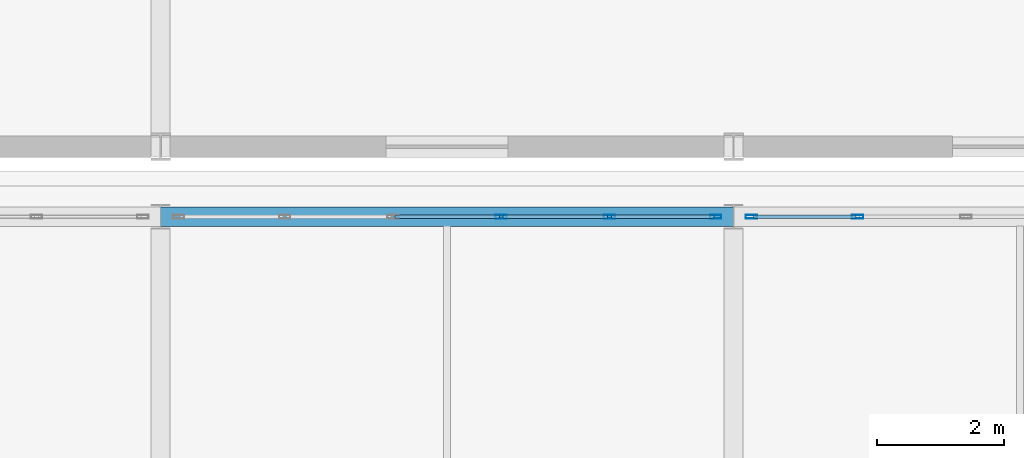
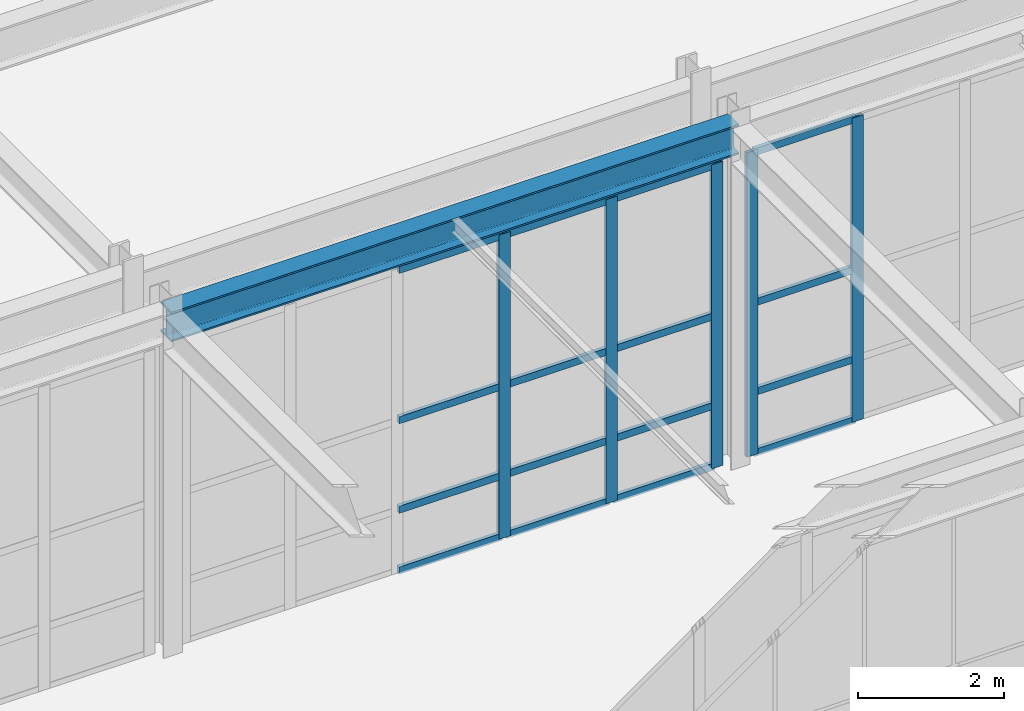
# One storey, part 53 of 146: 21 members, 1 beam, 2 elements without a shape of their own.
"""IFC4 building model written with IfcOpenShell, lengths in metres."""

import ifcopenshell
import ifcopenshell.guid

model = None  # the IFC model being written
_history = None  # IfcOwnerHistory: only IFC2X3 demands one
_inside = {}  # id of a spatial element -> (the spatial element, [elements in it])
_under = {}  # id of a project, library or spatial element -> (it, [spatial elements below it])
_declared = {}  # id of a project -> (the project, [libraries it declares])
_typed = {}  # id of a type object -> (the type object, [elements of that type])
_made_of = {}  # id of a material, layer set ... -> (it, [elements and type objects made of it])


def new_model(schema):
    """Start an empty IFC model of exactly this schema.

    Asked for "IFC4X3", IfcOpenShell would pick the latest addendum, in which some entities
    have other attributes; the version numbers below select the first issue.
    IFC2X3 requires an IfcOwnerHistory on every rooted entity: one is made here for all.
    """
    global model, _history
    if schema == "IFC4X3":
        model = ifcopenshell.file(schema_version=(4, 3, 0, 0))
    else:
        model = ifcopenshell.file(schema=schema)
    _inside.clear()
    _under.clear()
    _declared.clear()
    _typed.clear()
    _made_of.clear()
    _history = None
    if model.schema == "IFC2X3":
        org = make("IfcOrganization", Name="unknown")
        user = make(
            "IfcPersonAndOrganization",
            ThePerson=make("IfcPerson", FamilyName="unknown"),
            TheOrganization=org,
        )
        app = make(
            "IfcApplication",
            ApplicationDeveloper=org,
            Version="unknown",
            ApplicationFullName="unknown",
            ApplicationIdentifier="unknown",
        )
        _history = make(
            "IfcOwnerHistory",
            OwningUser=user,
            OwningApplication=app,
            ChangeAction="ADDED",
            CreationDate=0,
        )
    return model


def make(cls, **values):
    """One entity of the class cls with the attributes given. An attribute that is None is left unset."""
    return model.create_entity(
        cls, **{name: value for name, value in values.items() if value is not None}
    )


def rooted(cls, **values):
    """An entity with a GlobalId (a new one), such as an element, a storey or a relation."""
    return make(cls, GlobalId=ifcopenshell.guid.new(), OwnerHistory=_history, **values)


def si_unit(unit_type, name, prefix=None):
    """IfcSIUnit, for example si_unit("LENGTHUNIT", "METRE", prefix="MILLI")."""
    return make("IfcSIUnit", UnitType=unit_type, Prefix=prefix, Name=name)


def assignment(units):
    """IfcUnitAssignment: the units of a project."""
    return None if units is None else make("IfcUnitAssignment", Units=units)


def point(xyz):
    """IfcCartesianPoint."""
    return None if xyz is None else make("IfcCartesianPoint", Coordinates=xyz)


def direction(xyz):
    """IfcDirection."""
    return None if xyz is None else make("IfcDirection", DirectionRatios=xyz)


def frame(location, z_axis=None, x_axis=None):
    """IfcAxis2Placement3D, a coordinate frame: its origin and axes. An axis left out is left unset."""
    return make(
        "IfcAxis2Placement3D",
        Location=point(location),
        Axis=direction(z_axis),
        RefDirection=direction(x_axis),
    )


def frame_2d(location, x_axis=None):
    """IfcAxis2Placement2D, a coordinate frame in the plane: its origin and x axis."""
    return make(
        "IfcAxis2Placement2D", Location=point(location), RefDirection=direction(x_axis)
    )


def origin():
    """The frame at (0, 0, 0) with its axes left unset."""
    return frame((0.0, 0.0, 0.0))


def origin_2d():
    """The frame at (0, 0) in the plane with its x axis left unset."""
    return frame_2d((0.0, 0.0))


def place(relative_to, where):
    """IfcLocalPlacement: puts the frame where relative to a parent placement (None: the world)."""
    return make(
        "IfcLocalPlacement", PlacementRelTo=relative_to, RelativePlacement=where
    )


def context(
    kind, dimensions, precision=None, world=None, true_north=None, identifier=None
):
    """IfcGeometricRepresentationContext, for example the 3D "Model" context."""
    return make(
        "IfcGeometricRepresentationContext",
        ContextIdentifier=identifier,
        ContextType=kind,
        CoordinateSpaceDimension=dimensions,
        Precision=precision,
        WorldCoordinateSystem=world,
        TrueNorth=true_north,
    )


def subcontext(parent, identifier, kind, view, scale=None):
    """IfcGeometricRepresentationSubContext, for example "Body" below "Model"."""
    return make(
        "IfcGeometricRepresentationSubContext",
        ContextIdentifier=identifier,
        ContextType=kind,
        ParentContext=parent,
        TargetScale=scale,
        TargetView=view,
    )


def project(units=None, contexts=None):
    """IfcProject with its units and contexts."""
    return rooted(
        "IfcProject",
        Name="project",
        RepresentationContexts=contexts,
        UnitsInContext=assignment(units),
    )


def spatial(cls, under=None, at=None, **own):
    """A site, building, storey or space (cls), placed at a placement, below another one or the project."""
    s = rooted(cls, ObjectPlacement=at, **own)
    if under is not None:
        _under.setdefault(under.id(), (under, []))[1].append(s)
    return s


def profile(cls, at=None, kind="AREA", **sizes):
    """A parametric profile (cls). Its sizes go by their IFC names, for example OverallWidth=200.0."""
    return make(cls, ProfileType=kind, Position=at, **sizes)


def hollow_rectangle(**sizes):
    """IfcRectangleHollowProfileDef."""
    return profile("IfcRectangleHollowProfileDef", **sizes)


def i_section(**sizes):
    """IfcIShapeProfileDef."""
    return profile("IfcIShapeProfileDef", **sizes)


def extrude(swept, where, along, depth):
    """IfcExtrudedAreaSolid: the profile swept, set in the frame where, extruded along a direction by depth."""
    return make(
        "IfcExtrudedAreaSolid",
        SweptArea=swept,
        Position=where,
        ExtrudedDirection=direction(along),
        Depth=depth,
    )


def shape(context_of_items, identifier, shape_type, items):
    """IfcShapeRepresentation: the items that make up one representation, for example the "Body"."""
    return make(
        "IfcShapeRepresentation",
        ContextOfItems=context_of_items,
        RepresentationIdentifier=identifier,
        RepresentationType=shape_type,
        Items=items,
    )


def material(Name=None, Category=None):
    """IfcMaterial."""
    return make("IfcMaterial", Name=Name, Category=Category)


def material_profile(
    of_material, cross_section, Name=None, Category=None, Priority=None
):
    """IfcMaterialProfile: a cross section and its material."""
    return make(
        "IfcMaterialProfile",
        Name=Name,
        Material=of_material,
        Profile=cross_section,
        Priority=Priority,
        Category=Category,
    )


def profile_set(profiles, Name=None, composite=None):
    """IfcMaterialProfileSet."""
    return make(
        "IfcMaterialProfileSet",
        Name=Name,
        MaterialProfiles=profiles,
        CompositeProfile=composite,
    )


def made_of(thing, what):
    """Note that an element or type object is made of a material, layer set ...; save() writes the relation."""
    if what is not None:
        _made_of.setdefault(what.id(), (what, []))[1].append(thing)
    return thing


def type_object(cls, material=None, **own):
    """A type object (cls), such as IfcWallType, which elements share."""
    return made_of(rooted(cls, **own), material)


def element(
    cls,
    number,
    at=None,
    inside=None,
    cuts=None,
    type_object=None,
    material=None,
    context=None,
    identifier="Body",
    shape_type=None,
    held_by="IfcProductDefinitionShape",
    body=None,
    shapes=None,
    **own,
):
    """One element of the class cls, such as IfcWall. Its Tag is "e" and its number.

    at: its placement. inside: the storey or other place that contains it. cuts: it is an
    opening in that element (IfcRelVoidsElement). A single representation is given by context,
    identifier, shape_type and body (its items); several are given by shapes. held_by: the class
    of the entity that holds the representations. save() writes the other relations.
    """
    e = rooted(cls, Tag="e%d" % number, ObjectPlacement=at, **own)
    if body is not None:
        shapes = [shape(context, identifier, shape_type, body)]
    if shapes is not None:
        e.Representation = make(held_by, Representations=shapes)
    if inside is not None:
        _inside.setdefault(inside.id(), (inside, []))[1].append(e)
    if cuts is not None:
        rooted(
            "IfcRelVoidsElement", RelatingBuildingElement=cuts, RelatedOpeningElement=e
        )
    if type_object is not None:
        _typed.setdefault(type_object.id(), (type_object, []))[1].append(e)
    return made_of(e, material)


def aggregate(whole, parts):
    """IfcRelAggregates: a whole, such as a stair, and the parts it consists of."""
    return rooted("IfcRelAggregates", RelatingObject=whole, RelatedObjects=parts)


def save(model, path):
    """Write the relations noted so far, then the file.

    IfcRelAggregates (storeys below a building ...), IfcRelContainedInSpatialStructure (elements
    in a storey), IfcRelDefinesByType, IfcRelAssociatesMaterial and IfcRelDeclares: one each for
    every whole, place, type object, material and project.
    """
    for whole, parts in _under.values():
        aggregate(whole, parts)
    for where, things in _inside.values():
        rooted(
            "IfcRelContainedInSpatialStructure",
            RelatedElements=things,
            RelatingStructure=where,
        )
    for kind, things in _typed.values():
        rooted("IfcRelDefinesByType", RelatedObjects=things, RelatingType=kind)
    for what, things in _made_of.values():
        rooted("IfcRelAssociatesMaterial", RelatedObjects=things, RelatingMaterial=what)
    for by, libraries in _declared.values():
        rooted("IfcRelDeclares", RelatingContext=by, RelatedDefinitions=libraries)
    model.write(path)


model = new_model("IFC4")

# Units and contexts
model_context = context("Model", 3, precision=1e-05, world=origin(), true_north=direction((0.0, 1.0)))
body_context = subcontext(model_context, "Body", "Model", "MODEL_VIEW")
ifc_project = project(units=[si_unit("LENGTHUNIT", "METRE"), si_unit("AREAUNIT", "SQUARE_METRE"), si_unit("VOLUMEUNIT", "CUBIC_METRE"), si_unit("PLANEANGLEUNIT", "RADIAN"), si_unit("MASSUNIT", "GRAM", prefix="KILO")], contexts=[model_context])

# Site, building, storey
site_placement = place(None, origin())
site = spatial("IfcSite", under=ifc_project, at=site_placement, CompositionType="ELEMENT")
building_placement = place(site_placement, origin())
building = spatial("IfcBuilding", under=site, at=building_placement, Name="Kaldris Quays Convention Centre", CompositionType="ELEMENT")
storey_placement = place(building_placement, origin())
storey = spatial("IfcBuildingStorey", under=building, at=storey_placement, Name="L00", CompositionType="ELEMENT", Elevation=0.0)

# Curtain wall, members
ifc_material_1 = material(Name="Anodized aluminium AW-6060 and triple glazing", Category="aluminium")
curtain_wall_type = type_object("IfcCurtainWallType", Name="UNITISED CURTAIN WALL CW02", PredefinedType="NOTDEFINED", material=ifc_material_1)
curtain_wall_1_placement = place(storey_placement, origin())
curtain_wall_1 = element("IfcCurtainWall", 1, at=curtain_wall_1_placement, inside=storey, type_object=curtain_wall_type, Name="L00 Unitised Curtain Wall CW02 85", PredefinedType="NOTDEFINED")
ifc_material_2 = material(Name="Anodized aluminium AW-6060", Category="aluminium")
ifc_material_profile_1 = material_profile(ifc_material_2, hollow_rectangle(XDim=0.06005859375, YDim=0.179931640625, WallThickness=0.0048828125, at=origin_2d()), Name="RHS 180x60x5")
ifc_profile_set_1 = profile_set([ifc_material_profile_1], Name="Anodized aluminium AW-6060")
member_type_1 = type_object("IfcMemberType", Name="CURTAIN MULLION CWM2", PredefinedType="MULLION", material=ifc_profile_set_1)
member_1_placement = place(storey_placement, frame((61.35009765625, 54.89990234375, 0.0), z_axis=(0.0, 0.0, 1.0), x_axis=(0.0, 1.0, 0.0)))
member_1 = element("IfcMember", 2, at=member_1_placement, type_object=member_type_1, Name="CW02 mullion 4", PredefinedType="MULLION", context=body_context, shape_type="SweptSolid", body=[
    extrude(hollow_rectangle(XDim=0.06005859375, YDim=0.179931640625, WallThickness=0.0048828125, at=origin_2d()), origin(), (0.0, 0.0, 1.0), 5.10009765625),
])
member_2_placement = place(storey_placement, frame((63.050048828125, 54.89990234375, 0.0), z_axis=(0.0, 0.0, 1.0), x_axis=(0.0, 1.0, 0.0)))
member_2 = element("IfcMember", 3, at=member_2_placement, type_object=member_type_1, Name="CW02 mullion 5", PredefinedType="MULLION", context=body_context, shape_type="SweptSolid", body=[
    extrude(hollow_rectangle(XDim=0.06005859375, YDim=0.179931640625, WallThickness=0.0048828125, at=origin_2d()), origin(), (0.0, 0.0, 1.0), 5.10009765625),
])
member_3_placement = place(storey_placement, frame((64.719970703125, 54.89990234375, 0.0), z_axis=(0.0, 0.0, 1.0), x_axis=(0.0, 1.0, 0.0)))
member_3 = element("IfcMember", 4, at=member_3_placement, type_object=member_type_1, Name="CW02 mullion 6", PredefinedType="MULLION", context=body_context, shape_type="SweptSolid", body=[
    extrude(hollow_rectangle(XDim=0.06005859375, YDim=0.179931640625, WallThickness=0.0048828125, at=origin_2d()), origin(), (0.0, 0.0, 1.0), 5.10009765625),
])

curtain_wall_2_placement = place(storey_placement, origin())
curtain_wall_2 = element("IfcCurtainWall", 5, at=curtain_wall_2_placement, inside=storey, type_object=curtain_wall_type, Name="L00 Unitised Curtain Wall CW02 87", PredefinedType="NOTDEFINED")
member_4_placement = place(storey_placement, frame((65.280029296875, 54.89990234375, 0.0), z_axis=(0.0, 0.0, 1.0), x_axis=(0.0, 1.0, 0.0)))
member_4 = element("IfcMember", 6, at=member_4_placement, type_object=member_type_1, Name="CW02 mullion 1", PredefinedType="MULLION", context=body_context, shape_type="SweptSolid", body=[
    extrude(hollow_rectangle(XDim=0.06005859375, YDim=0.179931640625, WallThickness=0.0048828125, at=origin_2d()), origin(), (0.0, 0.0, 1.0), 5.10009765625),
])
member_5_placement = place(storey_placement, frame((66.949951171875, 54.89990234375, 0.0), z_axis=(0.0, 0.0, 1.0), x_axis=(0.0, 1.0, 0.0)))
member_5 = element("IfcMember", 7, at=member_5_placement, type_object=member_type_1, Name="CW02 mullion 2", PredefinedType="MULLION", context=body_context, shape_type="SweptSolid", body=[
    extrude(hollow_rectangle(XDim=0.06005859375, YDim=0.179931640625, WallThickness=0.0048828125, at=origin_2d()), origin(), (0.0, 0.0, 1.0), 5.10009765625),
])

# Member
ifc_material_profile_2 = material_profile(ifc_material_2, hollow_rectangle(XDim=0.06005859375, YDim=0.1201171875, WallThickness=0.00390625, at=origin_2d()), Name="RHS 120x60x4")
ifc_profile_set_2 = profile_set([ifc_material_profile_2], Name="Anodized aluminium AW-6060")
member_type_2 = type_object("IfcMemberType", Name="CURTAIN TRANSOM CWT1", PredefinedType="USERDEFINED", material=ifc_profile_set_2)
member_6_placement = place(storey_placement, frame((59.679931640625, 54.89990234375, 0.030029296875), z_axis=(1.0, 0.0, 0.0), x_axis=(0.0, 1.0, 0.0)))
member_6 = element("IfcMember", 8, at=member_6_placement, type_object=member_type_2, Name="CW02 transom 3.1", ObjectType="TRANSOM", PredefinedType="USERDEFINED", context=body_context, shape_type="SweptSolid", body=[
    extrude(hollow_rectangle(XDim=0.06005859375, YDim=0.1201171875, WallThickness=0.00390625, at=origin_2d()), origin(), (0.0, 0.0, 1.0), 1.64013671875),
])

member_7_placement = place(storey_placement, frame((59.679931640625, 54.89990234375, 1.050048828125), z_axis=(1.0, 0.0, 0.0), x_axis=(0.0, 1.0, 0.0)))
member_7 = element("IfcMember", 9, at=member_7_placement, type_object=member_type_2, Name="CW02 transom 3.2", ObjectType="TRANSOM", PredefinedType="USERDEFINED", context=body_context, shape_type="SweptSolid", body=[
    extrude(hollow_rectangle(XDim=0.06005859375, YDim=0.1201171875, WallThickness=0.00390625, at=origin_2d()), origin(), (0.0, 0.0, 1.0), 1.64013671875),
])

member_8_placement = place(storey_placement, frame((59.679931640625, 54.89990234375, 2.550048828125), z_axis=(1.0, 0.0, 0.0), x_axis=(0.0, 1.0, 0.0)))
member_8 = element("IfcMember", 10, at=member_8_placement, type_object=member_type_2, Name="CW02 transom 3.3", ObjectType="TRANSOM", PredefinedType="USERDEFINED", context=body_context, shape_type="SweptSolid", body=[
    extrude(hollow_rectangle(XDim=0.06005859375, YDim=0.1201171875, WallThickness=0.00390625, at=origin_2d()), origin(), (0.0, 0.0, 1.0), 1.64013671875),
])

member_9_placement = place(storey_placement, frame((59.679931640625, 54.89990234375, 5.070068359375), z_axis=(1.0, 0.0, 0.0), x_axis=(0.0, 1.0, 0.0)))
member_9 = element("IfcMember", 11, at=member_9_placement, type_object=member_type_2, Name="CW02 transom 3.4", ObjectType="TRANSOM", PredefinedType="USERDEFINED", context=body_context, shape_type="SweptSolid", body=[
    extrude(hollow_rectangle(XDim=0.06005859375, YDim=0.1201171875, WallThickness=0.00390625, at=origin_2d()), origin(), (0.0, 0.0, 1.0), 1.64013671875),
])

member_10_placement = place(storey_placement, frame((61.3798828125, 54.89990234375, 0.030029296875), z_axis=(1.0, 0.0, 0.0), x_axis=(0.0, 1.0, 0.0)))
member_10 = element("IfcMember", 12, at=member_10_placement, type_object=member_type_2, Name="CW02 transom 4.1", ObjectType="TRANSOM", PredefinedType="USERDEFINED", context=body_context, shape_type="SweptSolid", body=[
    extrude(hollow_rectangle(XDim=0.06005859375, YDim=0.1201171875, WallThickness=0.00390625, at=origin_2d()), origin(), (0.0, 0.0, 1.0), 1.64013671875),
])

member_11_placement = place(storey_placement, frame((61.3798828125, 54.89990234375, 1.050048828125), z_axis=(1.0, 0.0, 0.0), x_axis=(0.0, 1.0, 0.0)))
member_11 = element("IfcMember", 13, at=member_11_placement, type_object=member_type_2, Name="CW02 transom 4.2", ObjectType="TRANSOM", PredefinedType="USERDEFINED", context=body_context, shape_type="SweptSolid", body=[
    extrude(hollow_rectangle(XDim=0.06005859375, YDim=0.1201171875, WallThickness=0.00390625, at=origin_2d()), origin(), (0.0, 0.0, 1.0), 1.64013671875),
])

member_12_placement = place(storey_placement, frame((61.3798828125, 54.89990234375, 2.550048828125), z_axis=(1.0, 0.0, 0.0), x_axis=(0.0, 1.0, 0.0)))
member_12 = element("IfcMember", 14, at=member_12_placement, type_object=member_type_2, Name="CW02 transom 4.3", ObjectType="TRANSOM", PredefinedType="USERDEFINED", context=body_context, shape_type="SweptSolid", body=[
    extrude(hollow_rectangle(XDim=0.06005859375, YDim=0.1201171875, WallThickness=0.00390625, at=origin_2d()), origin(), (0.0, 0.0, 1.0), 1.64013671875),
])

member_13_placement = place(storey_placement, frame((61.3798828125, 54.89990234375, 5.070068359375), z_axis=(1.0, 0.0, 0.0), x_axis=(0.0, 1.0, 0.0)))
member_13 = element("IfcMember", 15, at=member_13_placement, type_object=member_type_2, Name="CW02 transom 4.4", ObjectType="TRANSOM", PredefinedType="USERDEFINED", context=body_context, shape_type="SweptSolid", body=[
    extrude(hollow_rectangle(XDim=0.06005859375, YDim=0.1201171875, WallThickness=0.00390625, at=origin_2d()), origin(), (0.0, 0.0, 1.0), 1.64013671875),
])

member_14_placement = place(storey_placement, frame((63.080078125, 54.89990234375, 0.030029296875), z_axis=(1.0, 0.0, 0.0), x_axis=(0.0, 1.0, 0.0)))
member_14 = element("IfcMember", 16, at=member_14_placement, type_object=member_type_2, Name="CW02 transom 5.1", ObjectType="TRANSOM", PredefinedType="USERDEFINED", context=body_context, shape_type="SweptSolid", body=[
    extrude(hollow_rectangle(XDim=0.06005859375, YDim=0.1201171875, WallThickness=0.00390625, at=origin_2d()), origin(), (0.0, 0.0, 1.0), 1.60986328125),
])

member_15_placement = place(storey_placement, frame((63.080078125, 54.89990234375, 1.050048828125), z_axis=(1.0, 0.0, 0.0), x_axis=(0.0, 1.0, 0.0)))
member_15 = element("IfcMember", 17, at=member_15_placement, type_object=member_type_2, Name="CW02 transom 5.2", ObjectType="TRANSOM", PredefinedType="USERDEFINED", context=body_context, shape_type="SweptSolid", body=[
    extrude(hollow_rectangle(XDim=0.06005859375, YDim=0.1201171875, WallThickness=0.00390625, at=origin_2d()), origin(), (0.0, 0.0, 1.0), 1.60986328125),
])

member_16_placement = place(storey_placement, frame((63.080078125, 54.89990234375, 2.550048828125), z_axis=(1.0, 0.0, 0.0), x_axis=(0.0, 1.0, 0.0)))
member_16 = element("IfcMember", 18, at=member_16_placement, type_object=member_type_2, Name="CW02 transom 5.3", ObjectType="TRANSOM", PredefinedType="USERDEFINED", context=body_context, shape_type="SweptSolid", body=[
    extrude(hollow_rectangle(XDim=0.06005859375, YDim=0.1201171875, WallThickness=0.00390625, at=origin_2d()), origin(), (0.0, 0.0, 1.0), 1.60986328125),
])

member_17_placement = place(storey_placement, frame((63.080078125, 54.89990234375, 5.070068359375), z_axis=(1.0, 0.0, 0.0), x_axis=(0.0, 1.0, 0.0)))
member_17 = element("IfcMember", 19, at=member_17_placement, type_object=member_type_2, Name="CW02 transom 5.4", ObjectType="TRANSOM", PredefinedType="USERDEFINED", context=body_context, shape_type="SweptSolid", body=[
    extrude(hollow_rectangle(XDim=0.06005859375, YDim=0.1201171875, WallThickness=0.00390625, at=origin_2d()), origin(), (0.0, 0.0, 1.0), 1.60986328125),
])

aggregate(curtain_wall_1, [member_1, member_2, member_3, member_6, member_7, member_8, member_9, member_10, member_11, member_12, member_13, member_14, member_15, member_16, member_17])

member_18_placement = place(storey_placement, frame((65.31005859375, 54.89990234375, 0.030029296875), z_axis=(1.0, 0.0, 0.0), x_axis=(0.0, 1.0, 0.0)))
member_18 = element("IfcMember", 20, at=member_18_placement, type_object=member_type_2, Name="CW02 transom 1.1", ObjectType="TRANSOM", PredefinedType="USERDEFINED", context=body_context, shape_type="SweptSolid", body=[
    extrude(hollow_rectangle(XDim=0.06005859375, YDim=0.1201171875, WallThickness=0.00390625, at=origin_2d()), origin(), (0.0, 0.0, 1.0), 1.60986328125),
])

member_19_placement = place(storey_placement, frame((65.31005859375, 54.89990234375, 1.050048828125), z_axis=(1.0, 0.0, 0.0), x_axis=(0.0, 1.0, 0.0)))
member_19 = element("IfcMember", 21, at=member_19_placement, type_object=member_type_2, Name="CW02 transom 1.2", ObjectType="TRANSOM", PredefinedType="USERDEFINED", context=body_context, shape_type="SweptSolid", body=[
    extrude(hollow_rectangle(XDim=0.06005859375, YDim=0.1201171875, WallThickness=0.00390625, at=origin_2d()), origin(), (0.0, 0.0, 1.0), 1.60986328125),
])

member_20_placement = place(storey_placement, frame((65.31005859375, 54.89990234375, 2.550048828125), z_axis=(1.0, 0.0, 0.0), x_axis=(0.0, 1.0, 0.0)))
member_20 = element("IfcMember", 22, at=member_20_placement, type_object=member_type_2, Name="CW02 transom 1.3", ObjectType="TRANSOM", PredefinedType="USERDEFINED", context=body_context, shape_type="SweptSolid", body=[
    extrude(hollow_rectangle(XDim=0.06005859375, YDim=0.1201171875, WallThickness=0.00390625, at=origin_2d()), origin(), (0.0, 0.0, 1.0), 1.60986328125),
])

member_21_placement = place(storey_placement, frame((65.31005859375, 54.89990234375, 5.070068359375), z_axis=(1.0, 0.0, 0.0), x_axis=(0.0, 1.0, 0.0)))
member_21 = element("IfcMember", 23, at=member_21_placement, type_object=member_type_2, Name="CW02 transom 1.4", ObjectType="TRANSOM", PredefinedType="USERDEFINED", context=body_context, shape_type="SweptSolid", body=[
    extrude(hollow_rectangle(XDim=0.06005859375, YDim=0.1201171875, WallThickness=0.00390625, at=origin_2d()), origin(), (0.0, 0.0, 1.0), 1.60986328125),
])

aggregate(curtain_wall_2, [member_4, member_5, member_18, member_19, member_20, member_21])

# Beam
ifc_material_3 = material(Name="Steel S355J2", Category="steel")
ifc_material_profile_3 = material_profile(ifc_material_3, i_section(OverallWidth=0.300048828125, OverallDepth=0.5, WebThickness=0.014404296875, FlangeThickness=0.028076171875, FilletRadius=0.027099609375, at=origin_2d()), Name="HEB 500")
ifc_profile_set_3 = profile_set([ifc_material_profile_3], Name="Steel S355J2")
beam_type = type_object("IfcBeamType", Name="STRUCTURAL BEAM BM06", PredefinedType="BEAM", material=ifc_profile_set_3)
beam_placement = place(storey_placement, frame((55.99951171875, 54.89990234375, 5.472900390625), z_axis=(1.0, 0.0, 0.0), x_axis=(0.0, 1.0, 0.0)))
element("IfcBeam", 24, at=beam_placement, inside=storey, type_object=beam_type, Name="L00 Girder BM06 10", PredefinedType="BEAM", context=body_context, shape_type="SweptSolid", body=[
    extrude(i_section(OverallWidth=0.300048828125, OverallDepth=0.5, WebThickness=0.014404296875, FlangeThickness=0.028076171875, FilletRadius=0.027099609375, at=origin_2d()), origin(), (0.0, 0.0, 1.0), 9.0009765625),
])

save(model, "model.ifc")
